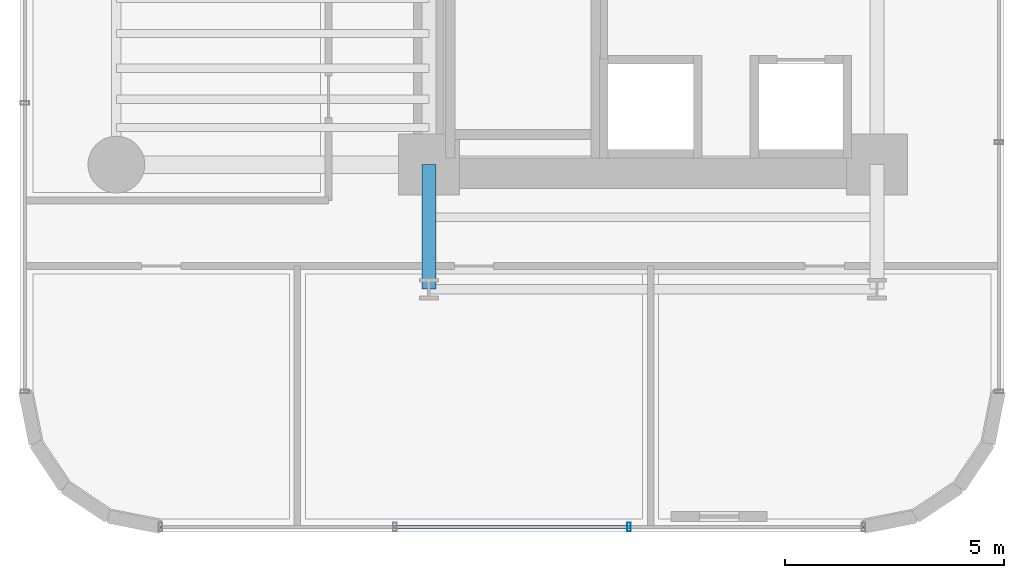
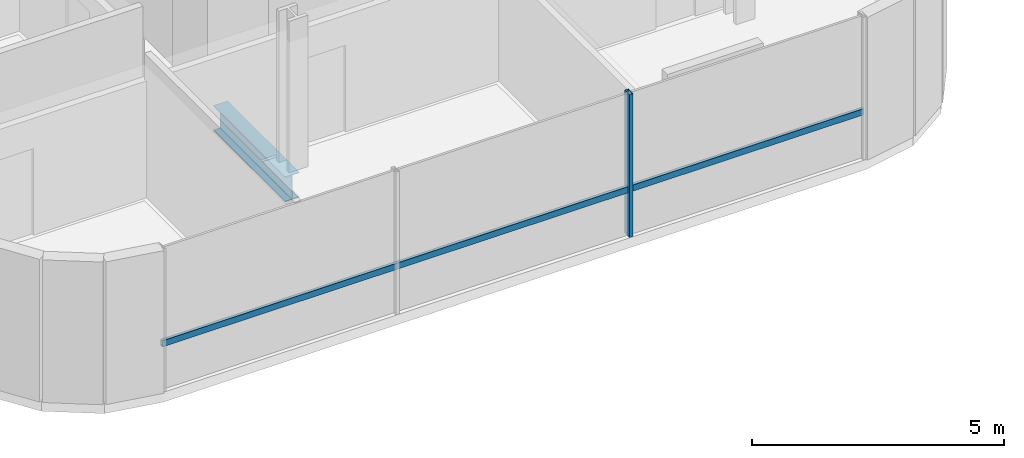
# One storey, part 3 of 41: 2 members, 1 beam, 1 element without a shape of its own.
"""IFC4 building model written with IfcOpenShell, lengths in metres."""

from ifc_helpers import new_model, si_unit, direction, frame, origin, origin_2d, place, context, subcontext, project, spatial, hollow_rectangle, i_section, extrude, source, transform, mapped, material, material_profile, profile_set, type_object, element, aggregate, save


model = new_model("IFC4")

# Units and contexts
model_context = context("Model", 3, precision=1e-05, world=origin(), true_north=direction((0.0, 1.0)))
body_context = subcontext(model_context, "Body", "Model", "MODEL_VIEW")
ifc_project = project(units=[si_unit("LENGTHUNIT", "METRE"), si_unit("AREAUNIT", "SQUARE_METRE"), si_unit("VOLUMEUNIT", "CUBIC_METRE"), si_unit("PLANEANGLEUNIT", "RADIAN"), si_unit("MASSUNIT", "GRAM", prefix="KILO")], contexts=[model_context])

# Site, building, storey
site_placement = place(None, origin())
site = spatial("IfcSite", under=ifc_project, at=site_placement, CompositionType="ELEMENT")
building_placement = place(site_placement, origin())
building = spatial("IfcBuilding", under=site, at=building_placement, Name="Valdorenza Pilgrim Sanctuary Tower", CompositionType="ELEMENT")
storey_placement = place(building_placement, frame((0.0, 0.0, 88.89990234375)))
storey = spatial("IfcBuildingStorey", under=building, at=storey_placement, Name="L22", CompositionType="ELEMENT", Elevation=88.89990234375)

# Beam
ifc_material_1 = material(Name="Steel ASTM A992 Grade 50", Category="steel")
ifc_material_profile_1 = material_profile(ifc_material_1, i_section(OverallWidth=0.323974609375, OverallDepth=0.611083984375, WebThickness=0.0126953125, FlangeThickness=0.01904296875, at=origin_2d()), Name="W24X104")
ifc_profile_set_1 = profile_set([ifc_material_profile_1], Name="Steel ASTM A992 Grade 50")
beam_type = type_object("IfcBeamType", Name="STR-BM-GRD-W24B", PredefinedType="BEAM", material=ifc_profile_set_1)
shared_shape_1 = source(origin(), body_context, "Body", "SweptSolid", [
    extrude(i_section(OverallWidth=0.323974609375, OverallDepth=0.611083984375, WebThickness=0.0126953125, FlangeThickness=0.01904296875, at=origin_2d()), origin(), (0.0, 0.0, 1.0), 2.849853515625),
])
beam_placement = place(storey_placement, frame((-22.64990234375, -13.449951171875, -0.54541015625), z_axis=(0.0, 1.0, 0.0), x_axis=(-1.0, 0.0, 0.0)))
element("IfcBeam", 1, at=beam_placement, inside=storey, type_object=beam_type, Name="L22 Floor Girder WA-S-LW", PredefinedType="BEAM", context=body_context, shape_type="MappedRepresentation", body=[
    mapped(shared_shape_1, transform((0.0, 0.0, 0.0), x_axis=(1.0, 0.0, 0.0), y_axis=(0.0, 1.0, 0.0), z_axis=(0.0, 0.0, 1.0), scale=1.0)),
])

# Curtain wall, members
ifc_material_2 = material(Name="Curtain-wall IGU glazing", Category="glass")
curtain_wall_type = type_object("IfcCurtainWallType", Name="CW-SYS-02", PredefinedType="NOTDEFINED", material=ifc_material_2)
curtain_wall_placement = place(storey_placement, origin())
curtain_wall = element("IfcCurtainWall", 2, at=curtain_wall_placement, inside=storey, type_object=curtain_wall_type, Name="L22 Curtain Wall CW-L22-1-46", PredefinedType="NOTDEFINED")
ifc_material_3 = material(Name="Anodised aluminium AW-6060", Category="aluminium")
ifc_material_profile_2 = material_profile(ifc_material_3, hollow_rectangle(XDim=0.074951171875, YDim=0.14990234375, WallThickness=0.00390625, at=origin_2d()), Name="ALU-T 150x75x4")
ifc_profile_set_2 = profile_set([ifc_material_profile_2], Name="Anodised aluminium AW-6060")
member_type_1 = type_object("IfcMemberType", Name="CW-TRN-02", PredefinedType="USERDEFINED", material=ifc_profile_set_2)
shared_shape_2 = source(origin(), body_context, "Body", "SweptSolid", [
    extrude(hollow_rectangle(XDim=0.074951171875, YDim=0.14990234375, WallThickness=0.00390625, at=origin_2d()), origin(), (0.0, 0.0, 1.0), 16.07861328125),
])
member_1_placement = place(storey_placement, frame((-12.710693359375, -18.889892578125, 1.1201171875), z_axis=(-1.0, 0.0, 0.0), x_axis=(0.0, -1.0, 0.0)))
member_1 = element("IfcMember", 3, at=member_1_placement, type_object=member_type_1, Name="CW-L22-1-46 Transom 1", ObjectType="TRANSOM", PredefinedType="USERDEFINED", context=body_context, shape_type="MappedRepresentation", body=[
    mapped(shared_shape_2, transform((0.0, 0.0, 0.0), x_axis=(1.0, 0.0, 0.0), y_axis=(0.0, 1.0, 0.0), z_axis=(0.0, 0.0, 1.0), scale=1.0)),
])
ifc_material_profile_3 = material_profile(ifc_material_3, hollow_rectangle(XDim=0.0849609375, YDim=0.199951171875, WallThickness=0.0048828125, at=origin_2d()), Name="ALU-M 200x85x5")
ifc_profile_set_3 = profile_set([ifc_material_profile_3], Name="Anodised aluminium AW-6060")
member_type_2 = type_object("IfcMemberType", Name="CW-MUL-02", PredefinedType="MULLION", material=ifc_profile_set_3)
shared_shape_3 = source(origin(), body_context, "Body", "SweptSolid", [
    extrude(hollow_rectangle(XDim=0.0849609375, YDim=0.199951171875, WallThickness=0.0048828125, at=origin_2d()), origin(), (0.0, 0.0, 1.0), 3.460205078125),
])
member_2_placement = place(storey_placement, frame((-18.0703125, -18.889892578125, 0.0), z_axis=(0.0, 0.0, 1.0), x_axis=(-1.0, 0.0, 0.0)))
member_2 = element("IfcMember", 4, at=member_2_placement, type_object=member_type_2, Name="CW-L22-1-46 Mullion 2", PredefinedType="MULLION", context=body_context, shape_type="MappedRepresentation", body=[
    mapped(shared_shape_3, transform((0.0, 0.0, 0.0), x_axis=(1.0, 0.0, 0.0), y_axis=(0.0, 1.0, 0.0), z_axis=(0.0, 0.0, 1.0), scale=1.0)),
])
aggregate(curtain_wall, [member_2, member_1])

save(model, "model.ifc")
